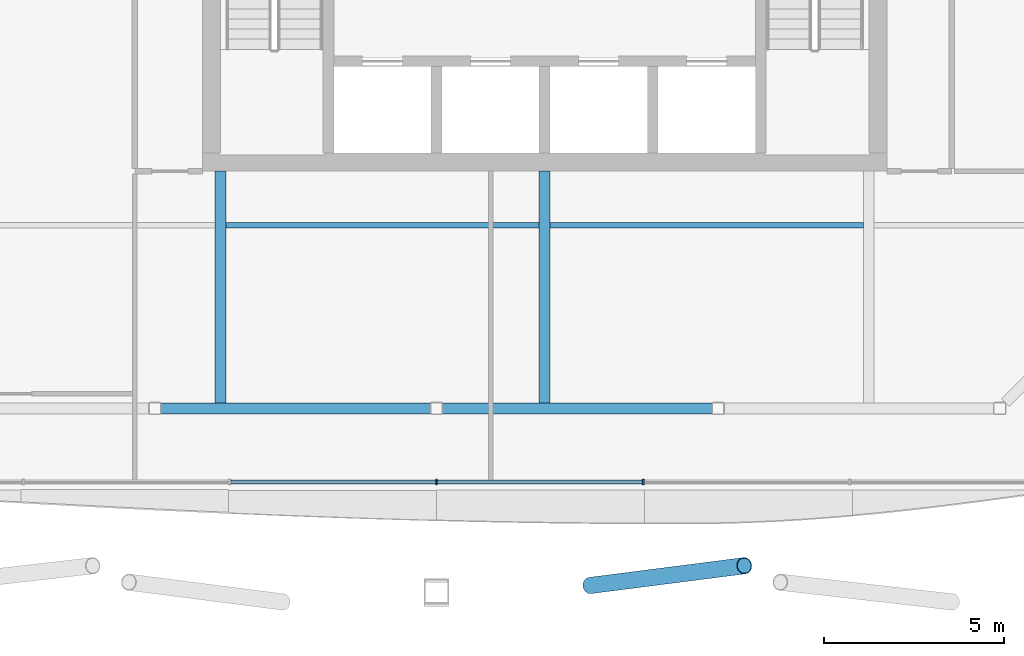
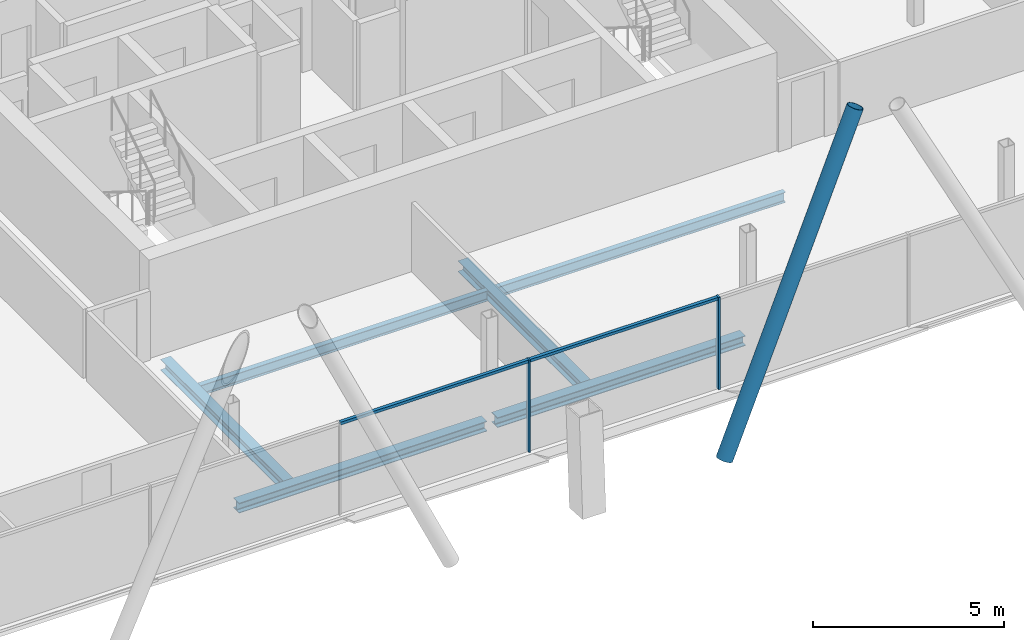
# One storey, part 5 of 20: 6 beams, 5 members, 1 element without a shape of its own.
"""IFC4 building model written with IfcOpenShell, lengths in metres."""

from ifc_helpers import new_model, si_unit, direction, frame, origin, origin_2d, place, context, subcontext, project, spatial, rectangle, hollow_circle, i_section, extrude, material, material_profile, profile_set, type_object, element, aggregate, save


model = new_model("IFC4")

# Units and contexts
model_context = context("Model", 3, precision=1e-05, world=origin(), true_north=direction((0.0, 1.0)))
body_context = subcontext(model_context, "Body", "Model", "MODEL_VIEW")
ifc_project = project(units=[si_unit("LENGTHUNIT", "METRE"), si_unit("AREAUNIT", "SQUARE_METRE"), si_unit("VOLUMEUNIT", "CUBIC_METRE"), si_unit("PLANEANGLEUNIT", "RADIAN"), si_unit("MASSUNIT", "GRAM", prefix="KILO")], contexts=[model_context])

# Site, building, storey
site_placement = place(None, origin())
site = spatial("IfcSite", under=ifc_project, at=site_placement, CompositionType="ELEMENT")
building_placement = place(site_placement, origin())
building = spatial("IfcBuilding", under=site, at=building_placement, Name="Tskaro Facet Tower", CompositionType="ELEMENT")
storey_placement = place(building_placement, frame((0.0, 0.0, 181.64990234375)))
storey = spatial("IfcBuildingStorey", under=building, at=storey_placement, Name="L45", CompositionType="ELEMENT", Elevation=181.64990234375)

# Member
ifc_material_1 = material(Name="Steel S355J2H", Category="steel")
ifc_material_profile_1 = material_profile(ifc_material_1, hollow_circle(Radius=0.228515625, WallThickness=0.02001953125, at=origin_2d()), Name="CHS 457x20")
ifc_profile_set_1 = profile_set([ifc_material_profile_1], Name="Steel S355J2H")
member_type_1 = type_object("IfcMemberType", Name="CHS 457x20 brace", PredefinedType="BRACE", material=ifc_profile_set_1)
member_1_placement = place(storey_placement, frame((1.27099609375, -23.499755859375, 0.0), z_axis=(0.411266797216, 0.052754241051, 0.909987149117), x_axis=(-0.127230108752, 0.991873227498, 0.0)))
element("IfcMember", 1, at=member_1_placement, inside=storey, type_object=member_type_1, Name="CHS 457x20 XB02A/4", PredefinedType="BRACE", context=body_context, shape_type="SweptSolid", body=[
    extrude(hollow_circle(Radius=0.228515625, WallThickness=0.02001953125, at=origin_2d()), origin(), (0.0, 0.0, 1.0), 10.385009765625),
])

# Curtain wall, members
ifc_material_2 = material(Name="Bronze anodised aluminium 6063-T6", Category="aluminium")
curtain_wall_type = type_object("IfcCurtainWallType", Name="Bronze residence curtain wall (FW3)", PredefinedType="NOTDEFINED", material=ifc_material_2)
curtain_wall_placement = place(storey_placement, origin())
curtain_wall = element("IfcCurtainWall", 2, at=curtain_wall_placement, inside=storey, type_object=curtain_wall_type, Name="FW3 south facet L45", PredefinedType="NOTDEFINED")
ifc_material_profile_2 = material_profile(ifc_material_2, rectangle(XDim=0.050048828125, YDim=0.139892578125, at=origin_2d()), Name="Mullion 50x140")
ifc_profile_set_2 = profile_set([ifc_material_profile_2], Name="Bronze anodised aluminium 6063-T6")
member_type_2 = type_object("IfcMemberType", Name="FW3 bronze mullion 50x140", PredefinedType="MULLION", material=ifc_profile_set_2)
member_2_placement = place(storey_placement, frame((-3.0, -20.6279296875, 0.0), z_axis=(0.0, 0.0, 1.0), x_axis=(1.0, 0.0, 0.0)))
member_2 = element("IfcMember", 3, at=member_2_placement, type_object=member_type_2, Name="FW3 south mullion 3", PredefinedType="MULLION", context=body_context, shape_type="SweptSolid", body=[
    extrude(rectangle(XDim=0.050048828125, YDim=0.139892578125, at=origin_2d()), origin(), (0.0, 0.0, 1.0), 2.9501953125),
])
member_3_placement = place(storey_placement, frame((2.736328125, -20.6279296875, 0.0), z_axis=(0.0, 0.0, 1.0), x_axis=(1.0, 0.0, 0.0)))
member_3 = element("IfcMember", 4, at=member_3_placement, type_object=member_type_2, Name="FW3 south mullion 4", PredefinedType="MULLION", context=body_context, shape_type="SweptSolid", body=[
    extrude(rectangle(XDim=0.050048828125, YDim=0.139892578125, at=origin_2d()), origin(), (0.0, 0.0, 1.0), 2.9501953125),
])
ifc_material_profile_3 = material_profile(ifc_material_2, rectangle(XDim=0.10009765625, YDim=0.090087890625, at=origin_2d()), Name="Transom 100x90")
ifc_profile_set_3 = profile_set([ifc_material_profile_3], Name="Bronze anodised aluminium 6063-T6")
member_type_3 = type_object("IfcMemberType", Name="FW3 bronze transom 100x90", PredefinedType="USERDEFINED", material=ifc_profile_set_3)
member_4_placement = place(storey_placement, frame((-8.71142578125, -20.6279296875, 2.905029296875), z_axis=(1.0, 0.0, 0.0), x_axis=(0.0, 1.0, 0.0)))
member_4 = element("IfcMember", 5, at=member_4_placement, type_object=member_type_3, Name="FW3 south transom 3.1", ObjectType="TRANSOM", PredefinedType="USERDEFINED", context=body_context, shape_type="SweptSolid", body=[
    extrude(rectangle(XDim=0.10009765625, YDim=0.090087890625, at=origin_2d()), origin(), (0.0, 0.0, 1.0), 5.6865234375),
])
member_5_placement = place(storey_placement, frame((-2.97509765625, -20.6279296875, 2.905029296875), z_axis=(1.0, 0.0, 0.0), x_axis=(0.0, 1.0, 0.0)))
member_5 = element("IfcMember", 6, at=member_5_placement, type_object=member_type_3, Name="FW3 south transom 4.1", ObjectType="TRANSOM", PredefinedType="USERDEFINED", context=body_context, shape_type="SweptSolid", body=[
    extrude(rectangle(XDim=0.10009765625, YDim=0.090087890625, at=origin_2d()), origin(), (0.0, 0.0, 1.0), 5.6865234375),
])
aggregate(curtain_wall, [member_2, member_3, member_4, member_5])

# Beams
ifc_material_3 = material(Name="Steel S355J2", Category="steel")
ifc_material_profile_4 = material_profile(ifc_material_3, i_section(OverallWidth=0.300048828125, OverallDepth=0.320068359375, WebThickness=0.011474609375, FlangeThickness=0.0205078125, FilletRadius=0.027099609375, at=origin_2d()), Name="HE 320 B")
ifc_profile_set_4 = profile_set([ifc_material_profile_4], Name="Steel S355J2")
beam_type_1 = type_object("IfcBeamType", Name="HE 320 B ring beam", PredefinedType="BEAM", material=ifc_profile_set_4)
beam_1_placement = place(storey_placement, frame((-10.660888671875, -18.5830078125, -0.2998046875), z_axis=(1.0, 0.0, 0.0), x_axis=(0.0, 1.0, 0.0)))
element("IfcBeam", 7, at=beam_1_placement, inside=storey, type_object=beam_type_1, Name="HE 320 B EB2-4", PredefinedType="BEAM", context=body_context, shape_type="SweptSolid", body=[
    extrude(i_section(OverallWidth=0.300048828125, OverallDepth=0.320068359375, WebThickness=0.011474609375, FlangeThickness=0.0205078125, FilletRadius=0.027099609375, at=origin_2d()), origin(), (0.0, 0.0, 1.0), 7.505859375),
])
beam_2_placement = place(storey_placement, frame((-2.844970703125, -18.5830078125, -0.2998046875), z_axis=(1.0, 0.0, 0.0), x_axis=(0.0, 1.0, 0.0)))
element("IfcBeam", 8, at=beam_2_placement, inside=storey, type_object=beam_type_1, Name="HE 320 B EB3-4", PredefinedType="BEAM", context=body_context, shape_type="SweptSolid", body=[
    extrude(i_section(OverallWidth=0.300048828125, OverallDepth=0.320068359375, WebThickness=0.011474609375, FlangeThickness=0.0205078125, FilletRadius=0.027099609375, at=origin_2d()), origin(), (0.0, 0.0, 1.0), 7.507080078125),
])
ifc_material_profile_5 = material_profile(ifc_material_3, i_section(OverallWidth=0.300048828125, OverallDepth=0.35009765625, WebThickness=0.010009765625, FlangeThickness=0.017578125, FilletRadius=0.027099609375, at=origin_2d()), Name="HE 360 A")
ifc_profile_set_5 = profile_set([ifc_material_profile_5], Name="Steel S355J2")
beam_type_2 = type_object("IfcBeamType", Name="HE 360 A girder", PredefinedType="BEAM", material=ifc_profile_set_5)
for number, where, z_axis, x_axis, name in (
    (9, (-9.0, -18.43310546875, -0.31494140625), (0.0, 1.0, 0.0), (-1.0, 0.0, 0.0), "HE 360 A GB3-1-4"),
    (10, (0.0, -18.43310546875, -0.31494140625), (0.0, 1.0, 0.0), (-1.0, 0.0, 0.0), "HE 360 A GB4-1-4"),
):
    element("IfcBeam", number, at=place(storey_placement, frame(where, z_axis=z_axis, x_axis=x_axis)), inside=storey, type_object=beam_type_2, Name=name, PredefinedType="BEAM", context=body_context, shape_type="SweptSolid", body=[
        extrude(i_section(OverallWidth=0.300048828125, OverallDepth=0.35009765625, WebThickness=0.010009765625, FlangeThickness=0.017578125, FilletRadius=0.027099609375, at=origin_2d()), origin(), (0.0, 0.0, 1.0), 6.43310546875),
    ])
ifc_material_profile_6 = material_profile(ifc_material_3, i_section(OverallWidth=0.159912109375, OverallDepth=0.330078125, WebThickness=0.007568359375, FlangeThickness=0.011474609375, FilletRadius=0.01806640625, at=origin_2d()), Name="IPE 330")
ifc_profile_set_6 = profile_set([ifc_material_profile_6], Name="Steel S355J2")
beam_type_3 = type_object("IfcBeamType", Name="IPE 330 secondary beam", PredefinedType="BEAM", material=ifc_profile_set_6)
for number, where, z_axis, x_axis, name in (
    (11, (-8.85009765625, -13.5, -0.304931640625), (1.0, 0.0, 0.0), (0.0, 1.0, 0.0), "IPE 330 SB2a-3-4"),
    (12, (0.14990234375, -13.5, -0.304931640625), (1.0, 0.0, 0.0), (0.0, 1.0, 0.0), "IPE 330 SB2a-4-4"),
):
    element("IfcBeam", number, at=place(storey_placement, frame(where, z_axis=z_axis, x_axis=x_axis)), inside=storey, type_object=beam_type_3, Name=name, PredefinedType="BEAM", context=body_context, shape_type="SweptSolid", body=[
        extrude(i_section(OverallWidth=0.159912109375, OverallDepth=0.330078125, WebThickness=0.007568359375, FlangeThickness=0.011474609375, FilletRadius=0.01806640625, at=origin_2d()), origin(), (0.0, 0.0, 1.0), 8.7001953125),
    ])

save(model, "model.ifc")
